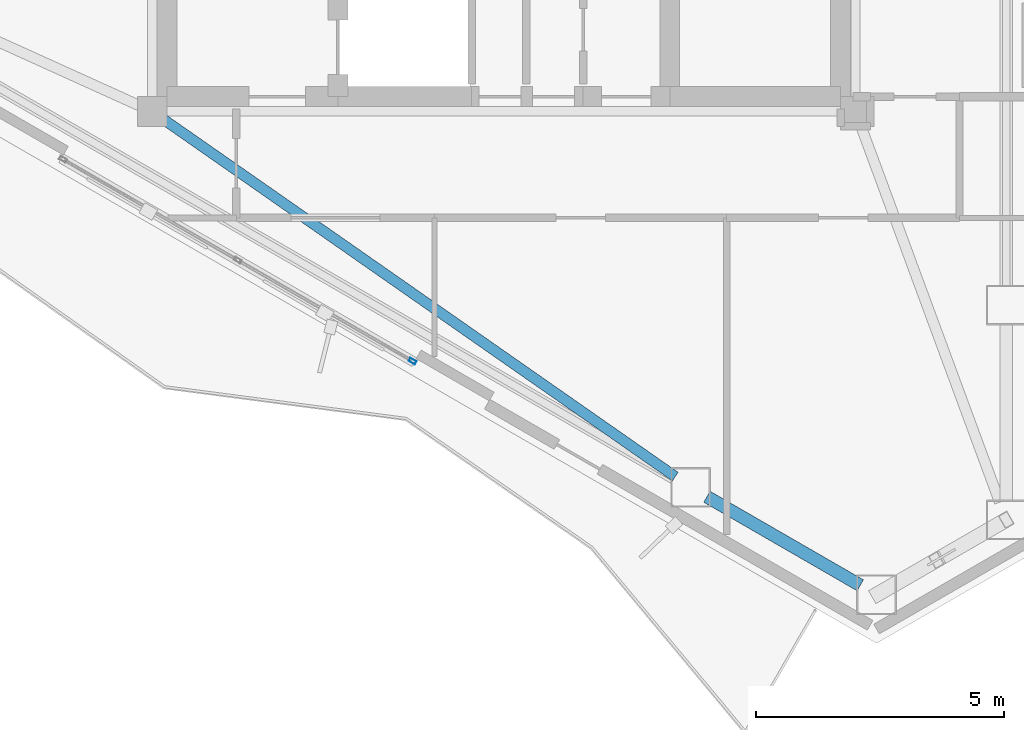
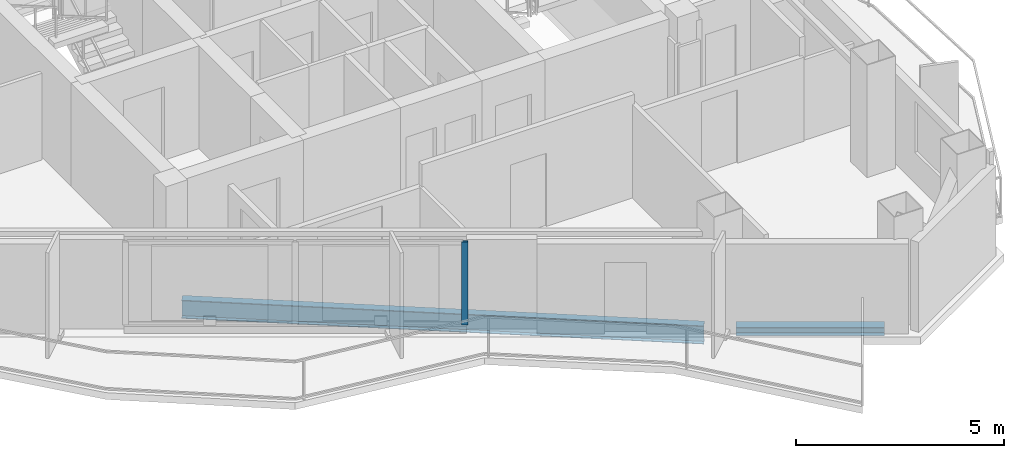
# One storey, part 5 of 18: 2 beams, 1 member, 1 element without a shape of its own.
"""IFC4 building model written with IfcOpenShell, lengths in metres."""

from ifc_helpers import new_model, si_unit, direction, frame, origin, origin_2d, place, context, subcontext, project, spatial, hollow_rectangle, i_section, extrude, material, layer, layer_set, material_profile, profile_set, type_object, element, aggregate, save


model = new_model("IFC4")

# Units and contexts
model_context = context("Model", 3, precision=1e-05, world=origin(), true_north=direction((0.0, 1.0)))
body_context = subcontext(model_context, "Body", "Model", "MODEL_VIEW")
ifc_project = project(units=[si_unit("LENGTHUNIT", "METRE"), si_unit("AREAUNIT", "SQUARE_METRE"), si_unit("VOLUMEUNIT", "CUBIC_METRE"), si_unit("PLANEANGLEUNIT", "RADIAN"), si_unit("MASSUNIT", "GRAM", prefix="KILO")], contexts=[model_context])

# Site, building, storey
site_placement = place(None, origin())
site = spatial("IfcSite", under=ifc_project, at=site_placement, CompositionType="ELEMENT")
building_placement = place(site_placement, origin())
building = spatial("IfcBuilding", under=site, at=building_placement, Name="Mersakhor Tower and Convention Hall", CompositionType="ELEMENT")
storey_placement = place(building_placement, frame((0.0, 0.0, 246.300048828125)))
storey = spatial("IfcBuildingStorey", under=building, at=storey_placement, Name="L69", CompositionType="ELEMENT", Elevation=246.300048828125)

# Beams
ifc_material_1 = material(Name="Steel S355", Category="steel")
ifc_material_profile_1 = material_profile(ifc_material_1, i_section(OverallWidth=0.2099609375, OverallDepth=0.53662109375, WebThickness=0.0107421875, FlangeThickness=0.017333984375, at=origin_2d()), Name="UB 533x210x101")
ifc_profile_set_1 = profile_set([ifc_material_profile_1], Name="Steel S355")
beam_type_1 = type_object("IfcBeamType", Name="BM-FB-533", PredefinedType="BEAM", material=ifc_profile_set_1)
beam_1_placement = place(storey_placement, frame((22.129638671875, 20.289794921875, -0.48828125), z_axis=(0.819954136469, -0.572429221903, 0.0), x_axis=(0.572429221903, 0.819954136469, 0.0)))
element("IfcBeam", 1, at=beam_1_placement, inside=storey, type_object=beam_type_1, Name="L69 Primary Floor Girder FG-5", PredefinedType="BEAM", context=body_context, shape_type="SweptSolid", body=[
    extrude(i_section(OverallWidth=0.2099609375, OverallDepth=0.53662109375, WebThickness=0.0107421875, FlangeThickness=0.017333984375, at=origin_2d()), origin(), (0.0, 0.0, 1.0), 12.598388671875),
])
ifc_material_2 = material(Name="Steel S355", Category="steel")
ifc_material_profile_2 = material_profile(ifc_material_2, i_section(OverallWidth=0.25634765625, OverallDepth=0.26025390625, WebThickness=0.01025390625, FlangeThickness=0.017333984375, at=origin_2d()), Name="UC 254x254x89")
ifc_profile_set_2 = profile_set([ifc_material_profile_2], Name="Steel S355")
beam_type_2 = type_object("IfcBeamType", Name="BM-SPD-UC254", PredefinedType="SPANDREL", material=ifc_profile_set_2)
beam_2_placement = place(storey_placement, frame((36.196044921875, 10.88330078125, -0.35009765625), z_axis=(-0.866002454009, 0.500039748071, 0.0), x_axis=(-0.500039748071, -0.866002454009, 0.0)))
element("IfcBeam", 2, at=beam_2_placement, inside=storey, type_object=beam_type_2, Name="L69 Perimeter Spandrel Beam SPB-09", PredefinedType="SPANDREL", context=body_context, shape_type="SweptSolid", body=[
    extrude(i_section(OverallWidth=0.25634765625, OverallDepth=0.26025390625, WebThickness=0.01025390625, FlangeThickness=0.017333984375, at=origin_2d()), origin(), (0.0, 0.0, 1.0), 3.574462890625),
])

# Curtain wall, member
ifc_material_3 = material(Name="Dark solar low-E aluminium curtain wall", Category="aluminium")
ifc_layer = layer(ifc_material_3, 0.179931640625)
ifc_layer_set = layer_set([ifc_layer], Name="Dark solar low-E aluminium curtain wall")
curtain_wall_type = type_object("IfcCurtainWallType", Name="CW-SYS-03", PredefinedType="USERDEFINED", material=ifc_layer_set)
curtain_wall_placement = place(storey_placement, origin())
curtain_wall = element("IfcCurtainWall", 3, at=curtain_wall_placement, inside=storey, type_object=curtain_wall_type, Name="L69 Dark-Glass Curtain Wall F3-B2", ObjectType="CURTAIN WALL", PredefinedType="USERDEFINED")
ifc_material_4 = material(Name="Anodised aluminium EN AW-6063 T6", Category="aluminium")
ifc_material_profile_3 = material_profile(ifc_material_4, hollow_rectangle(XDim=0.074951171875, YDim=0.14990234375, WallThickness=0.00634765625, at=origin_2d()), Name="RHS 150x75x6.3")
ifc_profile_set_3 = profile_set([ifc_material_profile_3], Name="Anodised aluminium EN AW-6063 T6")
member_type = type_object("IfcMemberType", Name="CWM-150x75", PredefinedType="MULLION", material=ifc_profile_set_3)
member_placement = place(storey_placement, frame((27.158935546875, 15.408203125, 0.199951171875), z_axis=(0.0, 0.0, 1.0), x_axis=(-0.500004411169, -0.86602285698, 0.0)))
member = element("IfcMember", 4, at=member_placement, type_object=member_type, Name="CW-03 mullion 1", PredefinedType="MULLION", context=body_context, shape_type="SweptSolid", body=[
    extrude(hollow_rectangle(XDim=0.074951171875, YDim=0.14990234375, WallThickness=0.00634765625, at=origin_2d()), origin(), (0.0, 0.0, 1.0), 2.43994140625),
])
aggregate(curtain_wall, [member])

save(model, "model.ifc")
